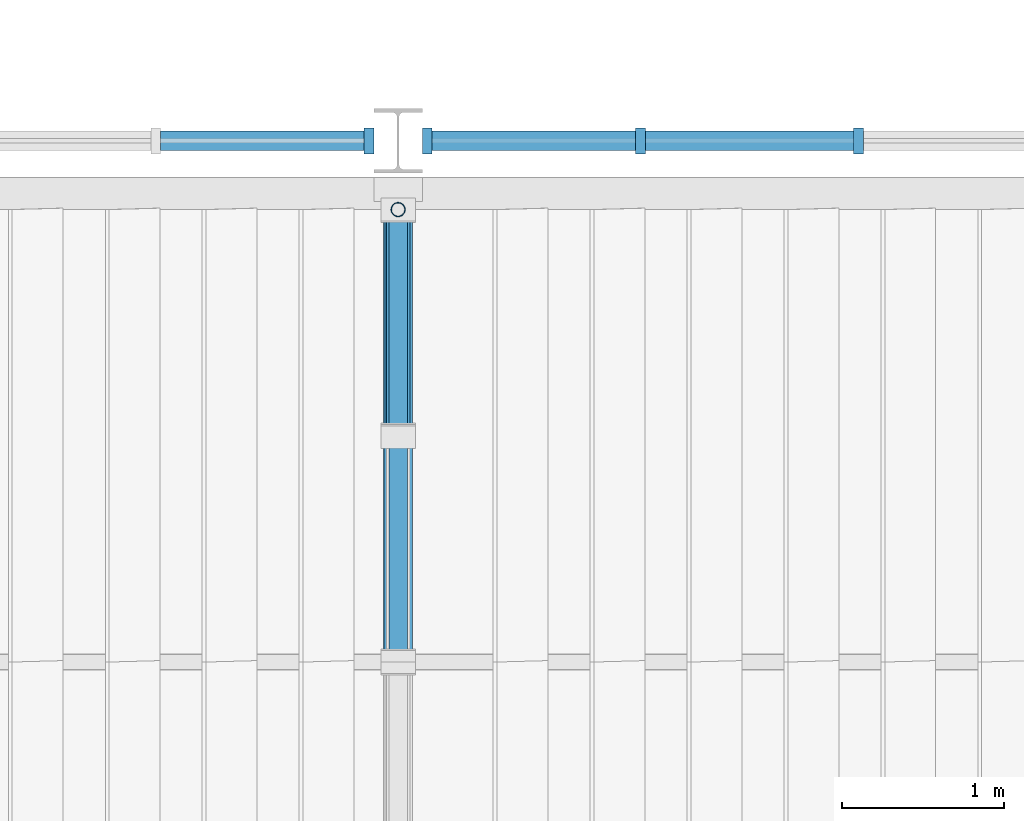
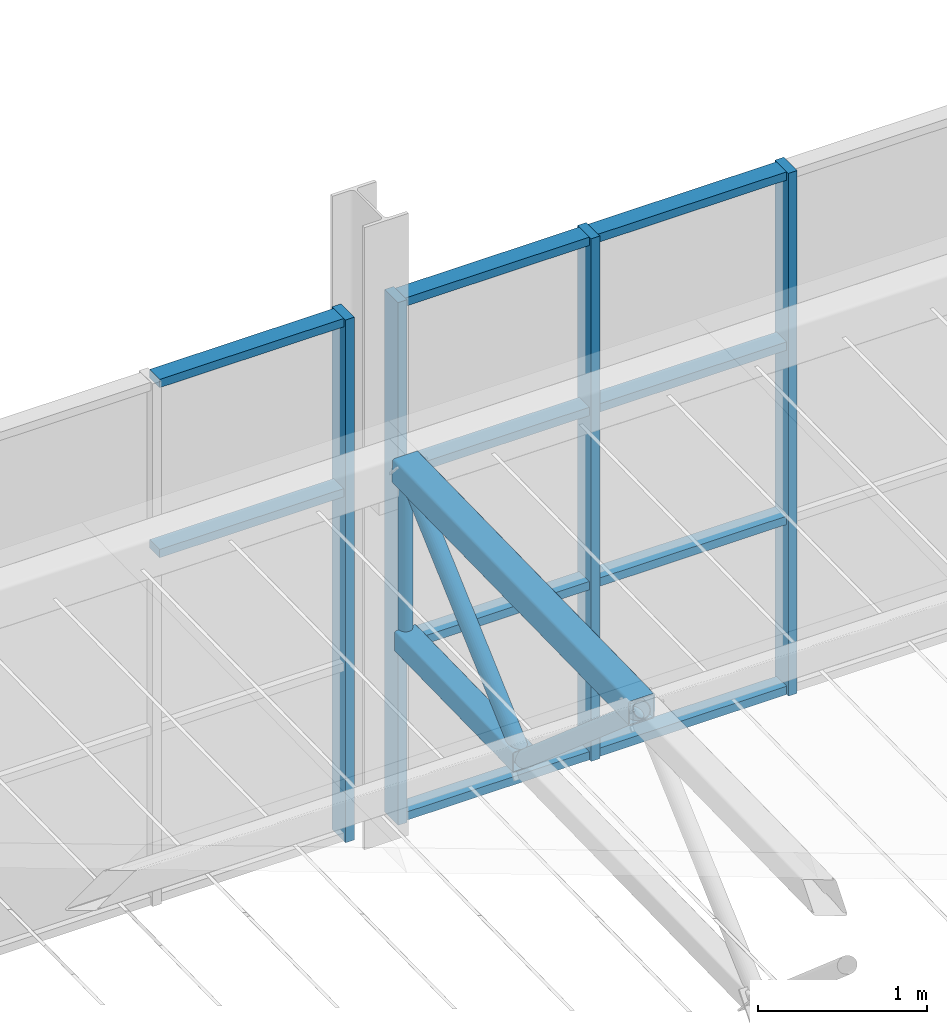
# One storey, part 33 of 129: 19 members, 2 elements without a shape of their own.
"""IFC4 building model written with IfcOpenShell, lengths in metres."""

from ifc_helpers import new_model, si_unit, direction, frame, origin, origin_2d, place, context, subcontext, project, spatial, rectangle, hollow_rectangle, hollow_circle, extrude, material, layer, layer_set, material_profile, profile_set, type_object, element, aggregate, save


model = new_model("IFC4")

# Units and contexts
model_context = context("Model", 3, precision=1e-05, world=origin(), true_north=direction((0.0, 1.0)))
body_context = subcontext(model_context, "Body", "Model", "MODEL_VIEW")
ifc_project = project(units=[si_unit("LENGTHUNIT", "METRE"), si_unit("AREAUNIT", "SQUARE_METRE"), si_unit("VOLUMEUNIT", "CUBIC_METRE"), si_unit("PLANEANGLEUNIT", "RADIAN"), si_unit("MASSUNIT", "GRAM", prefix="KILO")], contexts=[model_context])

# Site, building, storey
site_placement = place(None, origin())
site = spatial("IfcSite", under=ifc_project, at=site_placement, CompositionType="ELEMENT")
building_placement = place(site_placement, origin())
building = spatial("IfcBuilding", under=site, at=building_placement, Name="Ardhachandra Cancer Care Centre", CompositionType="ELEMENT")
storey_placement = place(building_placement, frame((0.0, 0.0, 4.5)))
storey = spatial("IfcBuildingStorey", under=building, at=storey_placement, Name="L01", CompositionType="ELEMENT", Elevation=4.5)

# Members
ifc_material_1 = material(Name="Steel E350 (IS 2062)", Category="steel")
ifc_material_profile_1 = material_profile(ifc_material_1, hollow_rectangle(XDim=0.14990234375, YDim=0.14990234375, WallThickness=0.006103515625, InnerFilletRadius=0.006103515625, OuterFilletRadius=0.011962890625, at=origin_2d()), Name="SHS 150x150x6.0")
ifc_profile_set_1 = profile_set([ifc_material_profile_1], Name="Steel E350 (IS 2062)")
member_type_1 = type_object("IfcMemberType", Name="Canopy truss bottom chord SHS 150x150x6.0", PredefinedType="CHORD", material=ifc_profile_set_1)
member_1_placement = place(storey_placement, frame((94.800048828125, 54.175048828125, 1.618408203125), z_axis=(0.0, -0.999802492231, -0.019874016411), x_axis=(1.0, 0.0, 0.0)))
element("IfcMember", 1, at=member_1_placement, inside=storey, type_object=member_type_1, Name="Canopy truss 7 bottom chord BC11", PredefinedType="CHORD", context=body_context, shape_type="SweptSolid", body=[
    extrude(hollow_rectangle(XDim=0.14990234375, YDim=0.14990234375, WallThickness=0.006103515625, InnerFilletRadius=0.006103515625, OuterFilletRadius=0.011962890625, at=origin_2d()), origin(), (0.0, 0.0, 1.0), 1.400390625),
])
ifc_material_2 = material(Name="Steel E350 (IS 2062)", Category="steel")
ifc_material_profile_2 = material_profile(ifc_material_2, hollow_circle(Radius=0.05712890625, WallThickness=0.0048828125, at=origin_2d()), Name="CHS 114.3x5.0")
ifc_profile_set_2 = profile_set([ifc_material_profile_2], Name="Steel E350 (IS 2062)")
member_type_2 = type_object("IfcMemberType", Name="Canopy truss diagonal CHS 114.3x5.0", PredefinedType="BRACE", material=ifc_profile_set_2)
member_2_placement = place(storey_placement, frame((94.800048828125, 54.175048828125, 2.853515625), z_axis=(0.0, -0.742553308775, -0.669786968839), x_axis=(1.0, 0.0, 0.0)))
element("IfcMember", 2, at=member_2_placement, inside=storey, type_object=member_type_2, Name="Canopy truss 7 web diagonal WD22", PredefinedType="BRACE", context=body_context, shape_type="SweptSolid", body=[
    extrude(hollow_circle(Radius=0.05712890625, WallThickness=0.0048828125, at=origin_2d()), origin(), (0.0, 0.0, 1.0), 1.885498046875),
])
member_3_placement = place(storey_placement, frame((94.800048828125, 52.77490234375, 1.590576171875), z_axis=(0.0, -0.757351396119, 0.653007551868), x_axis=(1.0, 0.0, 0.0)))
element("IfcMember", 3, at=member_3_placement, inside=storey, type_object=member_type_2, Name="Canopy truss 7 web diagonal WD23", PredefinedType="BRACE", context=body_context, shape_type="SweptSolid", body=[
    extrude(hollow_circle(Radius=0.05712890625, WallThickness=0.0048828125, at=origin_2d()), origin(), (0.0, 0.0, 1.0), 1.848388671875),
])
ifc_material_3 = material(Name="Steel E350 (IS 2062)", Category="steel")
ifc_material_profile_3 = material_profile(ifc_material_3, hollow_circle(Radius=0.04443359375, WallThickness=0.00390625, at=origin_2d()), Name="CHS 88.9x4.0")
ifc_profile_set_3 = profile_set([ifc_material_profile_3], Name="Steel E350 (IS 2062)")
member_type_3 = type_object("IfcMemberType", Name="Canopy truss post CHS 88.9x4.0", PredefinedType="POST", material=ifc_profile_set_3)
member_4_placement = place(storey_placement, frame((94.800048828125, 54.175048828125, 2.853515625), z_axis=(0.0, 0.0, -1.0), x_axis=(1.0, 0.0, 0.0)))
element("IfcMember", 4, at=member_4_placement, inside=storey, type_object=member_type_3, Name="Canopy truss 7 web vertical WV42", PredefinedType="POST", context=body_context, shape_type="SweptSolid", body=[
    extrude(hollow_circle(Radius=0.04443359375, WallThickness=0.00390625, at=origin_2d()), origin(), (0.0, 0.0, 1.0), 1.235107421875),
])
ifc_material_4 = material(Name="Steel E350 (IS 2062)", Category="steel")
ifc_material_profile_4 = material_profile(ifc_material_4, hollow_rectangle(XDim=0.179931640625, YDim=0.179931640625, WallThickness=0.008056640625, InnerFilletRadius=0.008056640625, OuterFilletRadius=0.01611328125, at=origin_2d()), Name="SHS 180x180x8.0")
ifc_profile_set_4 = profile_set([ifc_material_profile_4], Name="Steel E350 (IS 2062)")
member_type_4 = type_object("IfcMemberType", Name="Canopy truss top chord SHS 180x180x8.0", PredefinedType="CHORD", material=ifc_profile_set_4)
member_5_placement = place(storey_placement, frame((94.800048828125, 54.175048828125, 2.853515625), z_axis=(0.0, -0.999800721691, -0.019962888244), x_axis=(1.0, 0.0, 0.0)))
element("IfcMember", 5, at=member_5_placement, inside=storey, type_object=member_type_4, Name="Canopy truss 7 top chord TC1", PredefinedType="CHORD", context=body_context, shape_type="SweptSolid", body=[
    extrude(hollow_rectangle(XDim=0.179931640625, YDim=0.179931640625, WallThickness=0.008056640625, InnerFilletRadius=0.008056640625, OuterFilletRadius=0.01611328125, at=origin_2d()), origin(), (0.0, 0.0, 1.0), 2.800537109375),
])

# Curtain wall, member
ifc_material_5 = material(Name="Aluminium extrusion", Category="aluminium")
ifc_layer = layer(ifc_material_5, 0.14990234375)
ifc_layer_set = layer_set([ifc_layer], Name="Aluminium extrusion")
curtain_wall_type = type_object("IfcCurtainWallType", Name="Curtain wall run", PredefinedType="NOTDEFINED", material=ifc_layer_set)
curtain_wall_1_placement = place(storey_placement, origin())
curtain_wall_1 = element("IfcCurtainWall", 6, at=curtain_wall_1_placement, inside=storey, type_object=curtain_wall_type, Name="Curtain wall L01 s/0086400_0054600", PredefinedType="NOTDEFINED")
ifc_material_6 = material(Name="Aluminium extrusion", Category="aluminium")
ifc_material_profile_5 = material_profile(ifc_material_6, rectangle(XDim=0.159912109375, YDim=0.06005859375, at=origin_2d()), Name="Curtain wall mullion 60 x 160")
ifc_profile_set_5 = profile_set([ifc_material_profile_5], Name="Aluminium extrusion")
member_type_5 = type_object("IfcMemberType", Name="Curtain wall mullion 60 x 160", PredefinedType="MULLION", material=ifc_profile_set_5)
member_6_placement = place(storey_placement, frame((94.6201171875, 54.60009765625, 0.0), z_axis=(0.0, 0.0, 1.0), x_axis=(0.0, 1.0, 0.0)))
member_6 = element("IfcMember", 7, at=member_6_placement, type_object=member_type_5, Name="CW mullion 7", PredefinedType="MULLION", context=body_context, shape_type="SweptSolid", body=[
    extrude(rectangle(XDim=0.159912109375, YDim=0.06005859375, at=origin_2d()), origin(), (0.0, 0.0, 1.0), 3.780517578125),
])

# Curtain wall, members
curtain_wall_2_placement = place(storey_placement, origin())
curtain_wall_2 = element("IfcCurtainWall", 8, at=curtain_wall_2_placement, inside=storey, type_object=curtain_wall_type, Name="Curtain wall L01 s/0094800_0054600", PredefinedType="NOTDEFINED")
member_7_placement = place(storey_placement, frame((94.97998046875, 54.60009765625, 0.0), z_axis=(0.0, 0.0, 1.0), x_axis=(0.0, 1.0, 0.0)))
member_7 = element("IfcMember", 9, at=member_7_placement, type_object=member_type_5, Name="CW mullion 1", PredefinedType="MULLION", context=body_context, shape_type="SweptSolid", body=[
    extrude(rectangle(XDim=0.159912109375, YDim=0.06005859375, at=origin_2d()), origin(), (0.0, 0.0, 1.0), 3.780517578125),
])
member_8_placement = place(storey_placement, frame((96.300048828125, 54.60009765625, 0.0), z_axis=(0.0, 0.0, 1.0), x_axis=(0.0, 1.0, 0.0)))
member_8 = element("IfcMember", 10, at=member_8_placement, type_object=member_type_5, Name="CW mullion 2", PredefinedType="MULLION", context=body_context, shape_type="SweptSolid", body=[
    extrude(rectangle(XDim=0.159912109375, YDim=0.06005859375, at=origin_2d()), origin(), (0.0, 0.0, 1.0), 3.780517578125),
])
member_9_placement = place(storey_placement, frame((97.64990234375, 54.60009765625, 0.0), z_axis=(0.0, 0.0, 1.0), x_axis=(0.0, 1.0, 0.0)))
member_9 = element("IfcMember", 11, at=member_9_placement, type_object=member_type_5, Name="CW mullion 3", PredefinedType="MULLION", context=body_context, shape_type="SweptSolid", body=[
    extrude(rectangle(XDim=0.159912109375, YDim=0.06005859375, at=origin_2d()), origin(), (0.0, 0.0, 1.0), 3.780517578125),
])

# Member
ifc_material_7 = material(Name="Aluminium extrusion", Category="aluminium")
ifc_material_profile_6 = material_profile(ifc_material_7, rectangle(XDim=0.1201171875, YDim=0.06005859375, at=origin_2d()), Name="Curtain wall transom 60 x 120")
ifc_profile_set_6 = profile_set([ifc_material_profile_6], Name="Aluminium extrusion")
member_type_6 = type_object("IfcMemberType", Name="Curtain wall transom 60 x 120", PredefinedType="USERDEFINED", material=ifc_profile_set_6)
member_10_placement = place(storey_placement, frame((93.330078125, 54.60009765625, 2.520263671875), z_axis=(1.0, 0.0, 0.0), x_axis=(0.0, 1.0, 0.0)))
member_10 = element("IfcMember", 12, at=member_10_placement, type_object=member_type_6, Name="CW transom 6.3", ObjectType="TRANSOM", PredefinedType="USERDEFINED", context=body_context, shape_type="SweptSolid", body=[
    extrude(rectangle(XDim=0.1201171875, YDim=0.06005859375, at=origin_2d()), origin(), (0.0, 0.0, 1.0), 1.260009765625),
])

member_11_placement = place(storey_placement, frame((93.330078125, 54.60009765625, 3.75048828125), z_axis=(1.0, 0.0, 0.0), x_axis=(0.0, 1.0, 0.0)))
member_11 = element("IfcMember", 13, at=member_11_placement, type_object=member_type_6, Name="CW transom 6.4", ObjectType="TRANSOM", PredefinedType="USERDEFINED", context=body_context, shape_type="SweptSolid", body=[
    extrude(rectangle(XDim=0.1201171875, YDim=0.06005859375, at=origin_2d()), origin(), (0.0, 0.0, 1.0), 1.260009765625),
])

aggregate(curtain_wall_1, [member_6, member_10, member_11])

member_12_placement = place(storey_placement, frame((95.010009765625, 54.60009765625, 0.030029296875), z_axis=(1.0, 0.0, 0.0), x_axis=(0.0, 1.0, 0.0)))
member_12 = element("IfcMember", 14, at=member_12_placement, type_object=member_type_6, Name="CW transom 1.1", ObjectType="TRANSOM", PredefinedType="USERDEFINED", context=body_context, shape_type="SweptSolid", body=[
    extrude(rectangle(XDim=0.1201171875, YDim=0.06005859375, at=origin_2d()), origin(), (0.0, 0.0, 1.0), 1.260009765625),
])

member_13_placement = place(storey_placement, frame((95.010009765625, 54.60009765625, 1.26025390625), z_axis=(1.0, 0.0, 0.0), x_axis=(0.0, 1.0, 0.0)))
member_13 = element("IfcMember", 15, at=member_13_placement, type_object=member_type_6, Name="CW transom 1.2", ObjectType="TRANSOM", PredefinedType="USERDEFINED", context=body_context, shape_type="SweptSolid", body=[
    extrude(rectangle(XDim=0.1201171875, YDim=0.06005859375, at=origin_2d()), origin(), (0.0, 0.0, 1.0), 1.260009765625),
])

member_14_placement = place(storey_placement, frame((95.010009765625, 54.60009765625, 2.520263671875), z_axis=(1.0, 0.0, 0.0), x_axis=(0.0, 1.0, 0.0)))
member_14 = element("IfcMember", 16, at=member_14_placement, type_object=member_type_6, Name="CW transom 1.3", ObjectType="TRANSOM", PredefinedType="USERDEFINED", context=body_context, shape_type="SweptSolid", body=[
    extrude(rectangle(XDim=0.1201171875, YDim=0.06005859375, at=origin_2d()), origin(), (0.0, 0.0, 1.0), 1.260009765625),
])

member_15_placement = place(storey_placement, frame((95.010009765625, 54.60009765625, 3.75048828125), z_axis=(1.0, 0.0, 0.0), x_axis=(0.0, 1.0, 0.0)))
member_15 = element("IfcMember", 17, at=member_15_placement, type_object=member_type_6, Name="CW transom 1.4", ObjectType="TRANSOM", PredefinedType="USERDEFINED", context=body_context, shape_type="SweptSolid", body=[
    extrude(rectangle(XDim=0.1201171875, YDim=0.06005859375, at=origin_2d()), origin(), (0.0, 0.0, 1.0), 1.260009765625),
])

member_16_placement = place(storey_placement, frame((96.330078125, 54.60009765625, 0.030029296875), z_axis=(1.0, 0.0, 0.0), x_axis=(0.0, 1.0, 0.0)))
member_16 = element("IfcMember", 18, at=member_16_placement, type_object=member_type_6, Name="CW transom 2.1", ObjectType="TRANSOM", PredefinedType="USERDEFINED", context=body_context, shape_type="SweptSolid", body=[
    extrude(rectangle(XDim=0.1201171875, YDim=0.06005859375, at=origin_2d()), origin(), (0.0, 0.0, 1.0), 1.2900390625),
])

member_17_placement = place(storey_placement, frame((96.330078125, 54.60009765625, 1.26025390625), z_axis=(1.0, 0.0, 0.0), x_axis=(0.0, 1.0, 0.0)))
member_17 = element("IfcMember", 19, at=member_17_placement, type_object=member_type_6, Name="CW transom 2.2", ObjectType="TRANSOM", PredefinedType="USERDEFINED", context=body_context, shape_type="SweptSolid", body=[
    extrude(rectangle(XDim=0.1201171875, YDim=0.06005859375, at=origin_2d()), origin(), (0.0, 0.0, 1.0), 1.2900390625),
])

member_18_placement = place(storey_placement, frame((96.330078125, 54.60009765625, 2.520263671875), z_axis=(1.0, 0.0, 0.0), x_axis=(0.0, 1.0, 0.0)))
member_18 = element("IfcMember", 20, at=member_18_placement, type_object=member_type_6, Name="CW transom 2.3", ObjectType="TRANSOM", PredefinedType="USERDEFINED", context=body_context, shape_type="SweptSolid", body=[
    extrude(rectangle(XDim=0.1201171875, YDim=0.06005859375, at=origin_2d()), origin(), (0.0, 0.0, 1.0), 1.2900390625),
])

member_19_placement = place(storey_placement, frame((96.330078125, 54.60009765625, 3.75048828125), z_axis=(1.0, 0.0, 0.0), x_axis=(0.0, 1.0, 0.0)))
member_19 = element("IfcMember", 21, at=member_19_placement, type_object=member_type_6, Name="CW transom 2.4", ObjectType="TRANSOM", PredefinedType="USERDEFINED", context=body_context, shape_type="SweptSolid", body=[
    extrude(rectangle(XDim=0.1201171875, YDim=0.06005859375, at=origin_2d()), origin(), (0.0, 0.0, 1.0), 1.2900390625),
])

aggregate(curtain_wall_2, [member_7, member_8, member_9, member_12, member_13, member_14, member_15, member_16, member_17, member_18, member_19])

save(model, "model.ifc")
